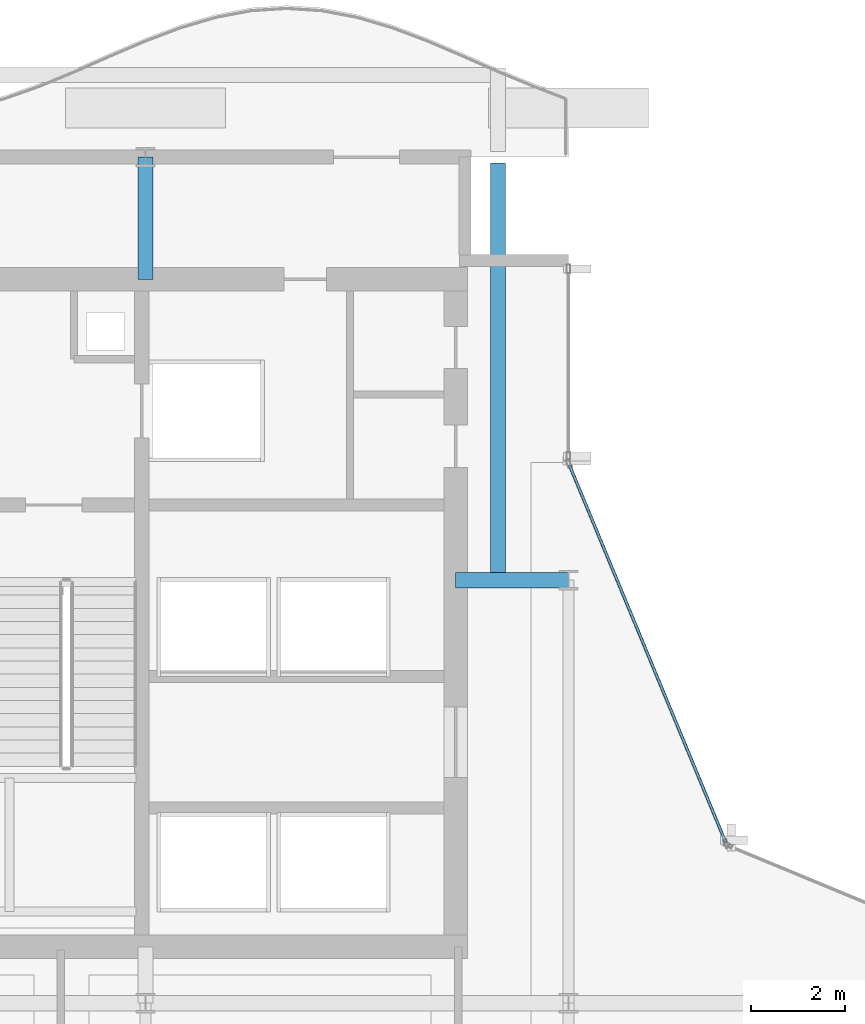
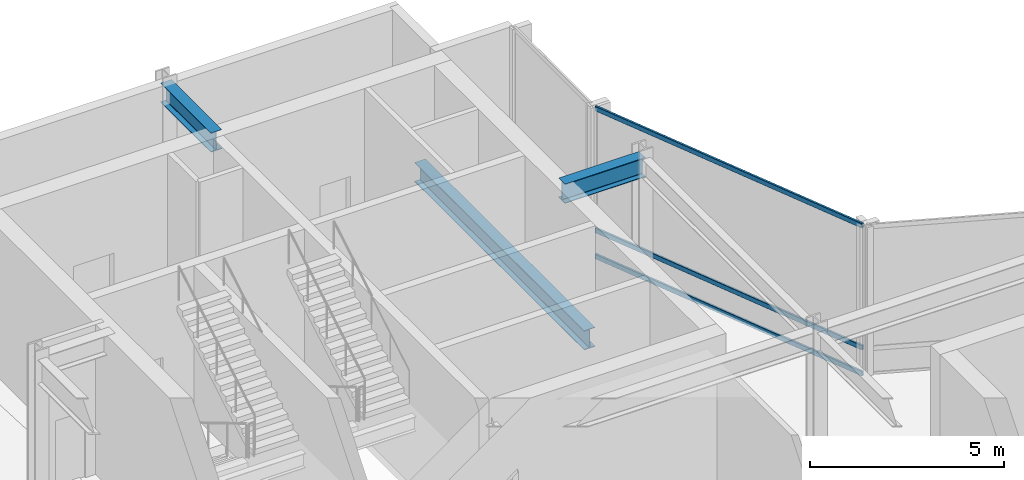
# One storey, part 17 of 29: 3 beams, 3 members, 1 element without a shape of its own.
"""IFC4 building model written with IfcOpenShell, lengths in metres."""

from ifc_helpers import new_model, si_unit, direction, frame, origin, origin_2d, place, context, subcontext, project, spatial, hollow_rectangle, i_section, extrude, material, layer, layer_set, material_profile, profile_set, type_object, element, aggregate, save


model = new_model("IFC4")

# Units and contexts
model_context = context("Model", 3, precision=1e-05, world=origin(), true_north=direction((0.0, 1.0)))
body_context = subcontext(model_context, "Body", "Model", "MODEL_VIEW")
ifc_project = project(units=[si_unit("LENGTHUNIT", "METRE"), si_unit("AREAUNIT", "SQUARE_METRE"), si_unit("VOLUMEUNIT", "CUBIC_METRE"), si_unit("PLANEANGLEUNIT", "RADIAN"), si_unit("MASSUNIT", "GRAM", prefix="KILO")], contexts=[model_context])

# Site, building, storey
site_placement = place(None, origin())
site = spatial("IfcSite", under=ifc_project, at=site_placement, CompositionType="ELEMENT")
building_placement = place(site_placement, origin())
building = spatial("IfcBuilding", under=site, at=building_placement, Name="Solvaryn Broadcast Tower", CompositionType="ELEMENT")
storey_placement = place(building_placement, frame((0.0, 0.0, 169.199951171875)))
storey = spatial("IfcBuildingStorey", under=building, at=storey_placement, Name="L42", CompositionType="ELEMENT", Elevation=169.199951171875)

# Beams
ifc_material_1 = material(Name="Steel ASTM A992 Grade 50", Category="steel")
ifc_material_profile_1 = material_profile(ifc_material_1, i_section(OverallWidth=0.323974609375, OverallDepth=0.611083984375, WebThickness=0.0126953125, FlangeThickness=0.01904296875, FilletRadius=0.014892578125, at=origin_2d()))
ifc_profile_set_1 = profile_set([ifc_material_profile_1], Name="Steel ASTM A992 Grade 50")
beam_type = type_object("IfcBeamType", Name="BM-B1-W24X104", PredefinedType="BEAM", material=ifc_profile_set_1)
beam_1_placement = place(storey_placement, frame((25.5, 36.125, -0.635498046875), z_axis=(0.0, 1.0, 0.0), x_axis=(-1.0, 0.0, 0.0)))
element("IfcBeam", 1, at=beam_1_placement, inside=storey, type_object=beam_type, Name="L42 North Terrace Back-Span Beam 25.5", PredefinedType="BEAM", context=body_context, shape_type="SweptSolid", body=[
    extrude(i_section(OverallWidth=0.323974609375, OverallDepth=0.611083984375, WebThickness=0.0126953125, FlangeThickness=0.01904296875, FilletRadius=0.014892578125, at=origin_2d()), origin(), (0.0, 0.0, 1.0), 8.75),
])
beam_2_placement = place(storey_placement, frame((24.60009765625, 36.0, 4.41455078125), z_axis=(1.0, 0.0, 0.0), x_axis=(0.0, 1.0, 0.0)))
element("IfcBeam", 2, at=beam_2_placement, inside=storey, type_object=beam_type, Name="L42 Core Tie Beam CTW2", PredefinedType="BEAM", context=body_context, shape_type="SweptSolid", body=[
    extrude(i_section(OverallWidth=0.323974609375, OverallDepth=0.611083984375, WebThickness=0.0126953125, FlangeThickness=0.01904296875, FilletRadius=0.014892578125, at=origin_2d()), origin(), (0.0, 0.0, 1.0), 2.39990234375),
])
beam_3_placement = place(storey_placement, frame((18.0, 42.39990234375, 4.41455078125), z_axis=(0.0, 1.0, 0.0), x_axis=(-1.0, 0.0, 0.0)))
element("IfcBeam", 3, at=beam_3_placement, inside=storey, type_object=beam_type, Name="L42 Core Tie Beam CTW3", PredefinedType="BEAM", context=body_context, shape_type="SweptSolid", body=[
    extrude(i_section(OverallWidth=0.323974609375, OverallDepth=0.611083984375, WebThickness=0.0126953125, FlangeThickness=0.01904296875, FilletRadius=0.014892578125, at=origin_2d()), origin(), (0.0, 0.0, 1.0), 2.60009765625),
])

# Curtain wall, members
ifc_material_2 = material(Name="Aluminium and Terracotta Unitised Curtain Wall", Category="masonry")
ifc_layer = layer(ifc_material_2, 0.25)
ifc_layer_set = layer_set([ifc_layer], Name="CW-SYS4-SKYGARDEN")
curtain_wall_type = type_object("IfcCurtainWallType", Name="CW-SYS4-SKYGARDEN", PredefinedType="NOTDEFINED", material=ifc_layer_set)
curtain_wall_placement = place(storey_placement, origin())
curtain_wall = element("IfcCurtainWall", 4, at=curtain_wall_placement, inside=storey, type_object=curtain_wall_type, Name="L42 Curtain Wall CN2", PredefinedType="NOTDEFINED")
ifc_material_3 = material(Name="Anodised Aluminium 6063-T6", Category="aluminium")
ifc_material_profile_2 = material_profile(ifc_material_3, hollow_rectangle(XDim=0.06494140625, YDim=0.14990234375, WallThickness=0.00390625, InnerFilletRadius=0.00390625, OuterFilletRadius=0.008056640625, at=origin_2d()))
ifc_profile_set_2 = profile_set([ifc_material_profile_2], Name="Anodised Aluminium 6063-T6")
member_type = type_object("IfcMemberType", Name="CW-TRN-150", PredefinedType="USERDEFINED", material=ifc_profile_set_2)
member_1_placement = place(storey_placement, frame((30.344970703125, 30.42333984375, 0.030029296875), z_axis=(-0.382635748975, 0.923899282177, 0.0), x_axis=(-0.923899282177, -0.382635748975, 0.0)))
member_1 = element("IfcMember", 5, at=member_1_placement, type_object=member_type, Name="CWS4 transom 1.1", ObjectType="TRANSOM", PredefinedType="USERDEFINED", context=body_context, shape_type="SweptSolid", body=[
    extrude(hollow_rectangle(XDim=0.06494140625, YDim=0.14990234375, WallThickness=0.00390625, InnerFilletRadius=0.00390625, OuterFilletRadius=0.008056640625, at=origin_2d()), origin(), (0.0, 0.0, 1.0), 8.681884765625),
])
member_2_placement = place(storey_placement, frame((30.344970703125, 30.42333984375, 0.85009765625), z_axis=(-0.382635748975, 0.923899282177, 0.0), x_axis=(-0.923899282177, -0.382635748975, 0.0)))
member_2 = element("IfcMember", 6, at=member_2_placement, type_object=member_type, Name="CWS4 transom 1.2", ObjectType="TRANSOM", PredefinedType="USERDEFINED", context=body_context, shape_type="SweptSolid", body=[
    extrude(hollow_rectangle(XDim=0.06494140625, YDim=0.14990234375, WallThickness=0.00390625, InnerFilletRadius=0.00390625, OuterFilletRadius=0.008056640625, at=origin_2d()), origin(), (0.0, 0.0, 1.0), 8.681884765625),
])
member_3_placement = place(storey_placement, frame((30.344970703125, 30.42333984375, 4.68994140625), z_axis=(-0.382635748975, 0.923899282177, 0.0), x_axis=(-0.923899282177, -0.382635748975, 0.0)))
member_3 = element("IfcMember", 7, at=member_3_placement, type_object=member_type, Name="CWS4 transom 1.3", ObjectType="TRANSOM", PredefinedType="USERDEFINED", context=body_context, shape_type="SweptSolid", body=[
    extrude(hollow_rectangle(XDim=0.06494140625, YDim=0.14990234375, WallThickness=0.00390625, InnerFilletRadius=0.00390625, OuterFilletRadius=0.008056640625, at=origin_2d()), origin(), (0.0, 0.0, 1.0), 8.681884765625),
])
aggregate(curtain_wall, [member_1, member_2, member_3])

save(model, "model.ifc")
